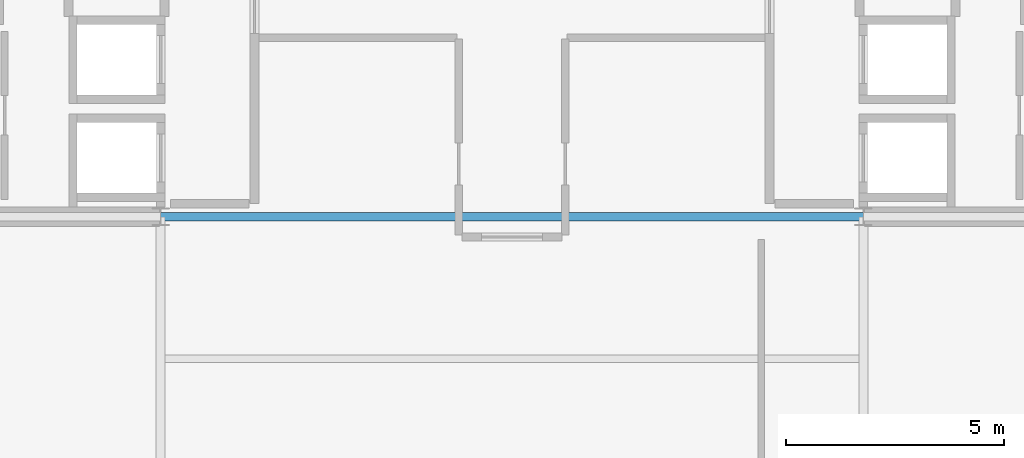
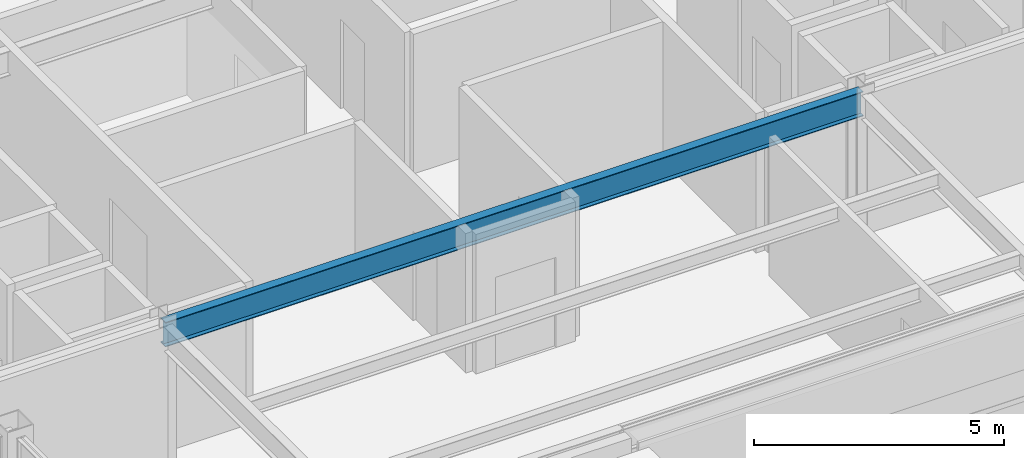
# One storey, part 8 of 27: 1 beam.
"""IFC4 building model written with IfcOpenShell, lengths in metres."""

from ifc_helpers import new_model, si_unit, direction, frame, origin, origin_2d, place, context, subcontext, project, spatial, i_section, extrude, material, material_profile, profile_set, type_object, element, save


model = new_model("IFC4")

# Units and contexts
model_context = context("Model", 3, precision=1e-05, world=origin(), true_north=direction((0.0, 1.0)))
body_context = subcontext(model_context, "Body", "Model", "MODEL_VIEW")
ifc_project = project(units=[si_unit("LENGTHUNIT", "METRE"), si_unit("AREAUNIT", "SQUARE_METRE"), si_unit("VOLUMEUNIT", "CUBIC_METRE"), si_unit("PLANEANGLEUNIT", "RADIAN"), si_unit("MASSUNIT", "GRAM", prefix="KILO")], contexts=[model_context])

# Site, building, storey
site_placement = place(None, origin())
site = spatial("IfcSite", under=ifc_project, at=site_placement, CompositionType="ELEMENT")
building_placement = place(site_placement, origin())
building = spatial("IfcBuilding", under=site, at=building_placement, Name="Brelmoor Portico Tower", CompositionType="ELEMENT")
storey_placement = place(building_placement, frame((0.0, 0.0, 250.800048828125)))
storey = spatial("IfcBuildingStorey", under=building, at=storey_placement, Name="L66", CompositionType="ELEMENT", Elevation=250.800048828125)

# Beam
ifc_material = material(Name="Steel Q355B", Category="steel")
ifc_material_profile = material_profile(ifc_material, i_section(OverallWidth=0.199951171875, OverallDepth=0.60009765625, WebThickness=0.010986328125, FlangeThickness=0.01708984375, at=origin_2d()), Name="HN 600x200x11x17")
ifc_profile_set = profile_set([ifc_material_profile], Name="Steel Q355B")
beam_type = type_object("IfcBeamType", Name="BM-PG-600", PredefinedType="BEAM", material=ifc_profile_set)
beam_placement = place(storey_placement, frame((-8.050048828125, -9.75, 3.099853515625), z_axis=(1.0, 0.0, 0.0), x_axis=(0.0, 1.0, 0.0)))
element("IfcBeam", 1, at=beam_placement, inside=storey, type_object=beam_type, Name="L66 Primary Floor Girder PG-13", PredefinedType="BEAM", context=body_context, shape_type="SweptSolid", body=[
    extrude(i_section(OverallWidth=0.199951171875, OverallDepth=0.60009765625, WebThickness=0.010986328125, FlangeThickness=0.01708984375, at=origin_2d()), origin(), (0.0, 0.0, 1.0), 16.10009765625),
])

save(model, "model.ifc")
